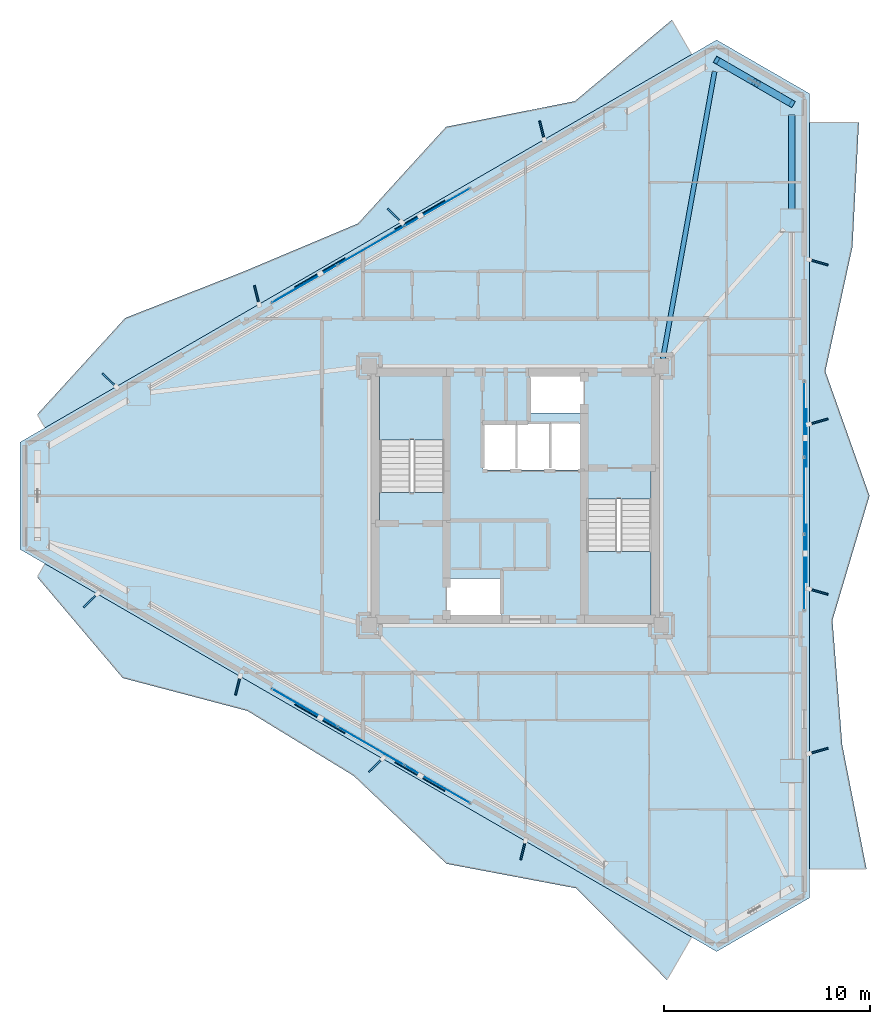
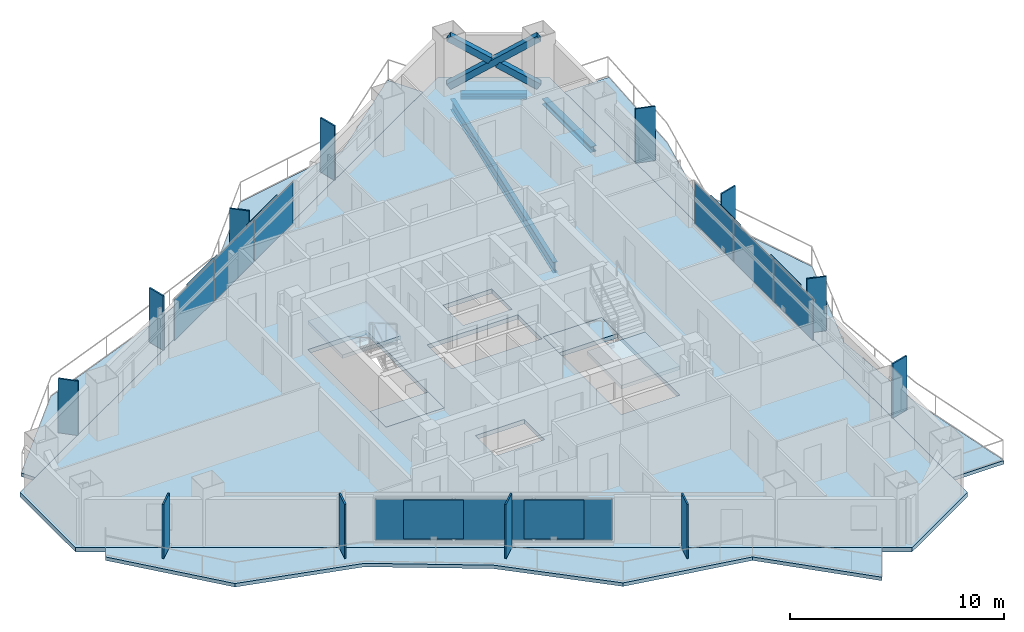
# One storey, part 14 of 22: 27 plates, 8 slabs, 3 beams, 3 members, 5 elements without a shape of their own.
"""IFC4 building model written with IfcOpenShell, lengths in metres."""

import ifcopenshell
import ifcopenshell.guid

model = None  # the IFC model being written
_history = None  # IfcOwnerHistory: only IFC2X3 demands one
_inside = {}  # id of a spatial element -> (the spatial element, [elements in it])
_under = {}  # id of a project, library or spatial element -> (it, [spatial elements below it])
_declared = {}  # id of a project -> (the project, [libraries it declares])
_typed = {}  # id of a type object -> (the type object, [elements of that type])
_made_of = {}  # id of a material, layer set ... -> (it, [elements and type objects made of it])


def new_model(schema):
    """Start an empty IFC model of exactly this schema.

    Asked for "IFC4X3", IfcOpenShell would pick the latest addendum, in which some entities
    have other attributes; the version numbers below select the first issue.
    IFC2X3 requires an IfcOwnerHistory on every rooted entity: one is made here for all.
    """
    global model, _history
    if schema == "IFC4X3":
        model = ifcopenshell.file(schema_version=(4, 3, 0, 0))
    else:
        model = ifcopenshell.file(schema=schema)
    _inside.clear()
    _under.clear()
    _declared.clear()
    _typed.clear()
    _made_of.clear()
    _history = None
    if model.schema == "IFC2X3":
        org = make("IfcOrganization", Name="unknown")
        user = make(
            "IfcPersonAndOrganization",
            ThePerson=make("IfcPerson", FamilyName="unknown"),
            TheOrganization=org,
        )
        app = make(
            "IfcApplication",
            ApplicationDeveloper=org,
            Version="unknown",
            ApplicationFullName="unknown",
            ApplicationIdentifier="unknown",
        )
        _history = make(
            "IfcOwnerHistory",
            OwningUser=user,
            OwningApplication=app,
            ChangeAction="ADDED",
            CreationDate=0,
        )
    return model


def make(cls, **values):
    """One entity of the class cls with the attributes given. An attribute that is None is left unset."""
    return model.create_entity(
        cls, **{name: value for name, value in values.items() if value is not None}
    )


def rooted(cls, **values):
    """An entity with a GlobalId (a new one), such as an element, a storey or a relation."""
    return make(cls, GlobalId=ifcopenshell.guid.new(), OwnerHistory=_history, **values)


def si_unit(unit_type, name, prefix=None):
    """IfcSIUnit, for example si_unit("LENGTHUNIT", "METRE", prefix="MILLI")."""
    return make("IfcSIUnit", UnitType=unit_type, Prefix=prefix, Name=name)


def assignment(units):
    """IfcUnitAssignment: the units of a project."""
    return None if units is None else make("IfcUnitAssignment", Units=units)


def point(xyz):
    """IfcCartesianPoint."""
    return None if xyz is None else make("IfcCartesianPoint", Coordinates=xyz)


def direction(xyz):
    """IfcDirection."""
    return None if xyz is None else make("IfcDirection", DirectionRatios=xyz)


def frame(location, z_axis=None, x_axis=None):
    """IfcAxis2Placement3D, a coordinate frame: its origin and axes. An axis left out is left unset."""
    return make(
        "IfcAxis2Placement3D",
        Location=point(location),
        Axis=direction(z_axis),
        RefDirection=direction(x_axis),
    )


def frame_2d(location, x_axis=None):
    """IfcAxis2Placement2D, a coordinate frame in the plane: its origin and x axis."""
    return make(
        "IfcAxis2Placement2D", Location=point(location), RefDirection=direction(x_axis)
    )


def origin():
    """The frame at (0, 0, 0) with its axes left unset."""
    return frame((0.0, 0.0, 0.0))


def origin_2d():
    """The frame at (0, 0) in the plane with its x axis left unset."""
    return frame_2d((0.0, 0.0))


def place(relative_to, where):
    """IfcLocalPlacement: puts the frame where relative to a parent placement (None: the world)."""
    return make(
        "IfcLocalPlacement", PlacementRelTo=relative_to, RelativePlacement=where
    )


def context(
    kind, dimensions, precision=None, world=None, true_north=None, identifier=None
):
    """IfcGeometricRepresentationContext, for example the 3D "Model" context."""
    return make(
        "IfcGeometricRepresentationContext",
        ContextIdentifier=identifier,
        ContextType=kind,
        CoordinateSpaceDimension=dimensions,
        Precision=precision,
        WorldCoordinateSystem=world,
        TrueNorth=true_north,
    )


def subcontext(parent, identifier, kind, view, scale=None):
    """IfcGeometricRepresentationSubContext, for example "Body" below "Model"."""
    return make(
        "IfcGeometricRepresentationSubContext",
        ContextIdentifier=identifier,
        ContextType=kind,
        ParentContext=parent,
        TargetScale=scale,
        TargetView=view,
    )


def project(units=None, contexts=None):
    """IfcProject with its units and contexts."""
    return rooted(
        "IfcProject",
        Name="project",
        RepresentationContexts=contexts,
        UnitsInContext=assignment(units),
    )


def spatial(cls, under=None, at=None, **own):
    """A site, building, storey or space (cls), placed at a placement, below another one or the project."""
    s = rooted(cls, ObjectPlacement=at, **own)
    if under is not None:
        _under.setdefault(under.id(), (under, []))[1].append(s)
    return s


def polyline(points):
    """IfcPolyline through the points."""
    return make("IfcPolyline", Points=[point(p) for p in points])


def profile(cls, at=None, kind="AREA", **sizes):
    """A parametric profile (cls). Its sizes go by their IFC names, for example OverallWidth=200.0."""
    return make(cls, ProfileType=kind, Position=at, **sizes)


def rectangle(**sizes):
    """IfcRectangleProfileDef."""
    return profile("IfcRectangleProfileDef", **sizes)


def hollow_rectangle(**sizes):
    """IfcRectangleHollowProfileDef."""
    return profile("IfcRectangleHollowProfileDef", **sizes)


def i_section(**sizes):
    """IfcIShapeProfileDef."""
    return profile("IfcIShapeProfileDef", **sizes)


def outline(outer, holes=None, kind="AREA"):
    """IfcArbitraryClosedProfileDef: a profile drawn as a closed curve; with holes, ...WithVoids."""
    if holes is None:
        return make("IfcArbitraryClosedProfileDef", ProfileType=kind, OuterCurve=outer)
    return make(
        "IfcArbitraryProfileDefWithVoids",
        ProfileType=kind,
        OuterCurve=outer,
        InnerCurves=holes,
    )


def extrude(swept, where, along, depth):
    """IfcExtrudedAreaSolid: the profile swept, set in the frame where, extruded along a direction by depth."""
    return make(
        "IfcExtrudedAreaSolid",
        SweptArea=swept,
        Position=where,
        ExtrudedDirection=direction(along),
        Depth=depth,
    )


def shape(context_of_items, identifier, shape_type, items):
    """IfcShapeRepresentation: the items that make up one representation, for example the "Body"."""
    return make(
        "IfcShapeRepresentation",
        ContextOfItems=context_of_items,
        RepresentationIdentifier=identifier,
        RepresentationType=shape_type,
        Items=items,
    )


def material(Name=None, Category=None):
    """IfcMaterial."""
    return make("IfcMaterial", Name=Name, Category=Category)


def layer(
    of_material, thickness, ventilated=None, Name=None, Category=None, Priority=None
):
    """IfcMaterialLayer: one layer of a wall or slab, of a material (None: an air gap)."""
    return make(
        "IfcMaterialLayer",
        Material=of_material,
        LayerThickness=thickness,
        IsVentilated=ventilated,
        Name=Name,
        Category=Category,
        Priority=Priority,
    )


def layer_set(layers, Name=None):
    """IfcMaterialLayerSet."""
    return make("IfcMaterialLayerSet", MaterialLayers=layers, LayerSetName=Name)


def material_profile(
    of_material, cross_section, Name=None, Category=None, Priority=None
):
    """IfcMaterialProfile: a cross section and its material."""
    return make(
        "IfcMaterialProfile",
        Name=Name,
        Material=of_material,
        Profile=cross_section,
        Priority=Priority,
        Category=Category,
    )


def profile_set(profiles, Name=None, composite=None):
    """IfcMaterialProfileSet."""
    return make(
        "IfcMaterialProfileSet",
        Name=Name,
        MaterialProfiles=profiles,
        CompositeProfile=composite,
    )


def made_of(thing, what):
    """Note that an element or type object is made of a material, layer set ...; save() writes the relation."""
    if what is not None:
        _made_of.setdefault(what.id(), (what, []))[1].append(thing)
    return thing


def type_object(cls, material=None, **own):
    """A type object (cls), such as IfcWallType, which elements share."""
    return made_of(rooted(cls, **own), material)


def element(
    cls,
    number,
    at=None,
    inside=None,
    cuts=None,
    type_object=None,
    material=None,
    context=None,
    identifier="Body",
    shape_type=None,
    held_by="IfcProductDefinitionShape",
    body=None,
    shapes=None,
    **own,
):
    """One element of the class cls, such as IfcWall. Its Tag is "e" and its number.

    at: its placement. inside: the storey or other place that contains it. cuts: it is an
    opening in that element (IfcRelVoidsElement). A single representation is given by context,
    identifier, shape_type and body (its items); several are given by shapes. held_by: the class
    of the entity that holds the representations. save() writes the other relations.
    """
    e = rooted(cls, Tag="e%d" % number, ObjectPlacement=at, **own)
    if body is not None:
        shapes = [shape(context, identifier, shape_type, body)]
    if shapes is not None:
        e.Representation = make(held_by, Representations=shapes)
    if inside is not None:
        _inside.setdefault(inside.id(), (inside, []))[1].append(e)
    if cuts is not None:
        rooted(
            "IfcRelVoidsElement", RelatingBuildingElement=cuts, RelatedOpeningElement=e
        )
    if type_object is not None:
        _typed.setdefault(type_object.id(), (type_object, []))[1].append(e)
    return made_of(e, material)


def aggregate(whole, parts):
    """IfcRelAggregates: a whole, such as a stair, and the parts it consists of."""
    return rooted("IfcRelAggregates", RelatingObject=whole, RelatedObjects=parts)


def save(model, path):
    """Write the relations noted so far, then the file.

    IfcRelAggregates (storeys below a building ...), IfcRelContainedInSpatialStructure (elements
    in a storey), IfcRelDefinesByType, IfcRelAssociatesMaterial and IfcRelDeclares: one each for
    every whole, place, type object, material and project.
    """
    for whole, parts in _under.values():
        aggregate(whole, parts)
    for where, things in _inside.values():
        rooted(
            "IfcRelContainedInSpatialStructure",
            RelatedElements=things,
            RelatingStructure=where,
        )
    for kind, things in _typed.values():
        rooted("IfcRelDefinesByType", RelatedObjects=things, RelatingType=kind)
    for what, things in _made_of.values():
        rooted("IfcRelAssociatesMaterial", RelatedObjects=things, RelatingMaterial=what)
    for by, libraries in _declared.values():
        rooted("IfcRelDeclares", RelatingContext=by, RelatedDefinitions=libraries)
    model.write(path)


model = new_model("IFC4")

# Units and contexts
model_context = context("Model", 3, precision=1e-05, world=origin(), true_north=direction((0.0, 1.0)))
body_context = subcontext(model_context, "Body", "Model", "MODEL_VIEW")
ifc_project = project(units=[si_unit("LENGTHUNIT", "METRE"), si_unit("AREAUNIT", "SQUARE_METRE"), si_unit("VOLUMEUNIT", "CUBIC_METRE"), si_unit("PLANEANGLEUNIT", "RADIAN"), si_unit("MASSUNIT", "GRAM", prefix="KILO")], contexts=[model_context])

# Site, building, storey
site_placement = place(None, origin())
site = spatial("IfcSite", under=ifc_project, at=site_placement, CompositionType="ELEMENT")
building_placement = place(site_placement, origin())
building = spatial("IfcBuilding", under=site, at=building_placement, Name="Mersakhor Tower and Convention Hall", CompositionType="ELEMENT")
storey_placement = place(building_placement, frame((0.0, 0.0, 109.800048828125)))
storey = spatial("IfcBuildingStorey", under=building, at=storey_placement, Name="L30", CompositionType="ELEMENT", Elevation=109.800048828125)

# Beams
ifc_material_1 = material(Name="Steel S355", Category="steel")
ifc_material_profile_1 = material_profile(ifc_material_1, i_section(OverallWidth=0.22900390625, OverallDepth=0.6123046875, WebThickness=0.011962890625, FlangeThickness=0.01953125, at=origin_2d()), Name="UB 610x229x125")
ifc_profile_set_1 = profile_set([ifc_material_profile_1], Name="Steel S355")
beam_type_1 = type_object("IfcBeamType", Name="BM-PR-610", PredefinedType="BEAM", material=ifc_profile_set_1)
beam_1_placement = place(storey_placement, frame((36.1630859375, 33.3994140625, -0.55615234375), z_axis=(0.177407335198, 0.984137509405, 0.0), x_axis=(-0.984137509405, 0.177407335198, 0.0)))
element("IfcBeam", 1, at=beam_1_placement, inside=storey, type_object=beam_type_1, Name="L30 Primary Floor Girder FG-2", PredefinedType="BEAM", context=body_context, shape_type="SweptSolid", body=[
    extrude(i_section(OverallWidth=0.22900390625, OverallDepth=0.6123046875, WebThickness=0.011962890625, FlangeThickness=0.01953125, at=origin_2d()), origin(), (0.0, 0.0, 1.0), 14.188232421875),
])
ifc_material_2 = material(Name="Steel S355", Category="steel")
ifc_material_profile_2 = material_profile(ifc_material_2, i_section(OverallWidth=0.30908203125, OverallDepth=0.320556640625, WebThickness=0.013916015625, FlangeThickness=0.021728515625, at=origin_2d()), Name="UC 305x305x137")
ifc_profile_set_2 = profile_set([ifc_material_profile_2], Name="Steel S355")
beam_type_2 = type_object("IfcBeamType", Name="BM-SPD-UC305", PredefinedType="SPANDREL", material=ifc_profile_set_2)
beam_2_placement = place(storey_placement, frame((39.25927734375, 47.631103515625, -0.410400390625), z_axis=(0.866052319632, -0.499953377486, 0.0), x_axis=(0.499953377486, 0.866052319632, 0.0)))
element("IfcBeam", 2, at=beam_2_placement, inside=storey, type_object=beam_type_2, Name="L30 Perimeter Spandrel Beam SPB-04", PredefinedType="SPANDREL", context=body_context, shape_type="SweptSolid", body=[
    extrude(i_section(OverallWidth=0.30908203125, OverallDepth=0.320556640625, WebThickness=0.013916015625, FlangeThickness=0.021728515625, at=origin_2d()), origin(), (0.0, 0.0, 1.0), 3.111572265625),
])
beam_3_placement = place(storey_placement, frame((42.4345703125, 45.242919921875, -0.410400390625), z_axis=(0.0, -1.0, 0.0), x_axis=(1.0, 0.0, 0.0)))
element("IfcBeam", 3, at=beam_3_placement, inside=storey, type_object=beam_type_2, Name="L30 Perimeter Spandrel Beam SPB-05", PredefinedType="SPANDREL", context=body_context, shape_type="SweptSolid", body=[
    extrude(i_section(OverallWidth=0.30908203125, OverallDepth=0.320556640625, WebThickness=0.013916015625, FlangeThickness=0.021728515625, at=origin_2d()), origin(), (0.0, 0.0, 1.0), 4.566162109375),
])

# Members
ifc_material_3 = material(Name="Steel S460", Category="steel")
ifc_material_profile_3 = material_profile(ifc_material_3, hollow_rectangle(XDim=0.35009765625, YDim=0.35009765625, WallThickness=0.02001953125, at=origin_2d()), Name="SHS 350x350x20")
ifc_profile_set_3 = profile_set([ifc_material_profile_3], Name="Steel S460")
member_type = type_object("IfcMemberType", Name="MB-BRC-SHS350", PredefinedType="BRACE", material=ifc_profile_set_3)
member_1_placement = place(storey_placement, frame((38.77880859375, 47.90869140625, 0.14990234375), z_axis=(0.725633725484, -0.418933054415, 0.545848689986), x_axis=(0.49998946241, 0.866031487579, 0.0)))
element("IfcMember", 4, at=member_1_placement, inside=storey, type_object=member_type, Name="L30 Chamfer Braced Frame Diagonal CB-1A", PredefinedType="BRACE", context=body_context, shape_type="SweptSolid", body=[
    extrude(hollow_rectangle(XDim=0.35009765625, YDim=0.35009765625, WallThickness=0.02001953125, at=origin_2d()), origin(), (0.0, 0.0, 1.0), 5.0380859375),
])
member_2_placement = place(storey_placement, frame((42.4345703125, 45.798095703125, 0.14990234375), z_axis=(-0.725643177862, 0.418862922102, 0.545889943955), x_axis=(-0.499921796684, -0.866070549782, 0.0)))
element("IfcMember", 5, at=member_2_placement, inside=storey, type_object=member_type, Name="L30 Chamfer Braced Frame Diagonal CB-1B Lower Half", PredefinedType="BRACE", context=body_context, shape_type="SweptSolid", body=[
    extrude(hollow_rectangle(XDim=0.35009765625, YDim=0.35009765625, WallThickness=0.02001953125, at=origin_2d()), origin(), (0.0, 0.0, 1.0), 2.31982421875),
])
member_3_placement = place(storey_placement, frame((40.4619140625, 46.93701171875, 1.6337890625), z_axis=(-0.725635037856, 0.418918980369, 0.545857746783), x_axis=(-0.499976186015, -0.866039152359, 0.0)))
element("IfcMember", 6, at=member_3_placement, inside=storey, type_object=member_type, Name="L30 Chamfer Braced Frame Diagonal CB-1B Upper Half", PredefinedType="BRACE", context=body_context, shape_type="SweptSolid", body=[
    extrude(hollow_rectangle(XDim=0.35009765625, YDim=0.35009765625, WallThickness=0.02001953125, at=origin_2d()), origin(), (0.0, 0.0, 1.0), 2.319580078125),
])

# Curtain wall, plates
ifc_material_4 = material(Name="Dark solar low-E aluminium curtain wall", Category="aluminium")
ifc_layer_1 = layer(ifc_material_4, 0.159912109375)
ifc_layer_set_1 = layer_set([ifc_layer_1], Name="Dark solar low-E aluminium curtain wall")
curtain_wall_type = type_object("IfcCurtainWallType", Name="CW-SYS-01", PredefinedType="USERDEFINED", material=ifc_layer_set_1)
curtain_wall_1_placement = place(storey_placement, origin())
curtain_wall_1 = element("IfcCurtainWall", 7, at=curtain_wall_1_placement, inside=storey, type_object=curtain_wall_type, Name="L30 Dark-Glass Curtain Wall F1-B2", ObjectType="CURTAIN WALL", PredefinedType="USERDEFINED")
ifc_material_5 = material(Name="Dark solar double glazing", Category="glass")
ifc_layer_2 = layer(ifc_material_5, 0.02392578125)
ifc_layer_set_2 = layer_set([ifc_layer_2], Name="Dark solar double glazing")
plate_type_1 = type_object("IfcPlateType", Name="CWP-GLZ-24", PredefinedType="CURTAIN_PANEL", material=ifc_layer_set_2)
plate_1_placement = place(storey_placement, frame((18.75732421875, 37.042236328125, 0.260009765625), z_axis=(0.0, 0.0, 1.0), x_axis=(0.866026613339, 0.499997904985, 0.0)))
plate_1 = element("IfcPlate", 8, at=plate_1_placement, type_object=plate_type_1, Name="CW-01 panel 1.1", PredefinedType="CURTAIN_PANEL", context=body_context, shape_type="SweptSolid", body=[
    extrude(rectangle(XDim=3.630615234375, YDim=0.02392578125, at=origin_2d()), origin(), (0.0, 0.0, 1.0), 2.35009765625),
])
plate_2_placement = place(storey_placement, frame((21.982666015625, 38.904296875, 0.260009765625), z_axis=(0.0, 0.0, 1.0), x_axis=(0.866026613339, 0.499997904985, 0.0)))
plate_2 = element("IfcPlate", 9, at=plate_2_placement, type_object=plate_type_1, Name="CW-01 panel 2.1", PredefinedType="CURTAIN_PANEL", context=body_context, shape_type="SweptSolid", body=[
    extrude(rectangle(XDim=3.668212890625, YDim=0.02392578125, at=origin_2d()), origin(), (0.0, 0.0, 1.0), 2.35009765625),
])
plate_3_placement = place(storey_placement, frame((25.2080078125, 40.7666015625, 0.260009765625), z_axis=(0.0, 0.0, 1.0), x_axis=(0.866026613339, 0.499997904985, 0.0)))
plate_3 = element("IfcPlate", 10, at=plate_3_placement, type_object=plate_type_1, Name="CW-01 panel 3.1", PredefinedType="CURTAIN_PANEL", context=body_context, shape_type="SweptSolid", body=[
    extrude(rectangle(XDim=3.630615234375, YDim=0.02392578125, at=origin_2d()), origin(), (0.0, 0.0, 1.0), 2.35009765625),
])
aggregate(curtain_wall_1, [plate_1, plate_2, plate_3])

curtain_wall_2_placement = place(storey_placement, origin())
curtain_wall_2 = element("IfcCurtainWall", 11, at=curtain_wall_2_placement, inside=storey, type_object=curtain_wall_type, Name="L30 Dark-Glass Curtain Wall F2-B2", ObjectType="CURTAIN WALL", PredefinedType="USERDEFINED")
plate_4_placement = place(storey_placement, frame((43.03466796875, 30.474365234375, 0.260009765625), z_axis=(0.0, 0.0, 1.0), x_axis=(0.0, -1.0, 0.0)))
plate_4 = element("IfcPlate", 12, at=plate_4_placement, type_object=plate_type_1, Name="CW-01 panel 1.1", PredefinedType="CURTAIN_PANEL", context=body_context, shape_type="SweptSolid", body=[
    extrude(rectangle(XDim=3.630615234375, YDim=0.02392578125, at=origin_2d()), origin(), (0.0, 0.0, 1.0), 2.35009765625),
])
plate_5_placement = place(storey_placement, frame((43.03466796875, 26.75, 0.260009765625), z_axis=(0.0, 0.0, 1.0), x_axis=(0.0, -1.0, 0.0)))
plate_5 = element("IfcPlate", 13, at=plate_5_placement, type_object=plate_type_1, Name="CW-01 panel 2.1", PredefinedType="CURTAIN_PANEL", context=body_context, shape_type="SweptSolid", body=[
    extrude(rectangle(XDim=3.668212890625, YDim=0.02392578125, at=origin_2d()), origin(), (0.0, 0.0, 1.0), 2.35009765625),
])
plate_6_placement = place(storey_placement, frame((43.03466796875, 23.025634765625, 0.260009765625), z_axis=(0.0, 0.0, 1.0), x_axis=(0.0, -1.0, 0.0)))
plate_6 = element("IfcPlate", 14, at=plate_6_placement, type_object=plate_type_1, Name="CW-01 panel 3.1", PredefinedType="CURTAIN_PANEL", context=body_context, shape_type="SweptSolid", body=[
    extrude(rectangle(XDim=3.630615234375, YDim=0.02392578125, at=origin_2d()), origin(), (0.0, 0.0, 1.0), 2.35009765625),
])
aggregate(curtain_wall_2, [plate_4, plate_5, plate_6])

curtain_wall_3_placement = place(storey_placement, origin())
curtain_wall_3 = element("IfcCurtainWall", 15, at=curtain_wall_3_placement, inside=storey, type_object=curtain_wall_type, Name="L30 Dark-Glass Curtain Wall F3-B2", ObjectType="CURTAIN WALL", PredefinedType="USERDEFINED")
plate_7_placement = place(storey_placement, frame((25.2080078125, 12.7333984375, 0.260009765625), z_axis=(0.0, 0.0, 1.0), x_axis=(-0.866026613339, 0.499997904985, 0.0)))
plate_7 = element("IfcPlate", 16, at=plate_7_placement, type_object=plate_type_1, Name="CW-01 panel 1.1", PredefinedType="CURTAIN_PANEL", context=body_context, shape_type="SweptSolid", body=[
    extrude(rectangle(XDim=3.630615234375, YDim=0.02392578125, at=origin_2d()), origin(), (0.0, 0.0, 1.0), 2.35009765625),
])
plate_8_placement = place(storey_placement, frame((21.982666015625, 14.595703125, 0.260009765625), z_axis=(0.0, 0.0, 1.0), x_axis=(-0.866026613339, 0.499997904985, 0.0)))
plate_8 = element("IfcPlate", 17, at=plate_8_placement, type_object=plate_type_1, Name="CW-01 panel 2.1", PredefinedType="CURTAIN_PANEL", context=body_context, shape_type="SweptSolid", body=[
    extrude(rectangle(XDim=3.668212890625, YDim=0.02392578125, at=origin_2d()), origin(), (0.0, 0.0, 1.0), 2.35009765625),
])
plate_9_placement = place(storey_placement, frame((18.75732421875, 16.457763671875, 0.260009765625), z_axis=(0.0, 0.0, 1.0), x_axis=(-0.866026613339, 0.499997904985, 0.0)))
plate_9 = element("IfcPlate", 18, at=plate_9_placement, type_object=plate_type_1, Name="CW-01 panel 3.1", PredefinedType="CURTAIN_PANEL", context=body_context, shape_type="SweptSolid", body=[
    extrude(rectangle(XDim=3.630615234375, YDim=0.02392578125, at=origin_2d()), origin(), (0.0, 0.0, 1.0), 2.35009765625),
])
aggregate(curtain_wall_3, [plate_7, plate_8, plate_9])

# Plates
ifc_material_6 = material(Name="Ceramic-clad aluminium Zone 2 emerald-teal", Category="aluminium")
ifc_material_7 = material(Name="Ceramic-clad aluminium Zone 1 cobalt-slate", Category="masonry")
ifc_layer_3 = layer(ifc_material_7, 0.080078125)
ifc_layer_set_3 = layer_set([ifc_layer_3], Name="Ceramic-clad aluminium Zone 1 cobalt-slate")
plate_type_2 = type_object("IfcPlateType", Name="PL-FIN-80", PredefinedType="USERDEFINED", material=ifc_layer_set_3)
for number, where, z_axis, x_axis, name in (
    (19, (9.281494140625, 32.364013671875, 0.0), (0.0, 0.0, 1.0), (-0.719339800339, 0.694658370459, 0.0), "L30 Zone 2 Coloured Brise-Soleil Fin F1-1"),
    (20, (16.4365234375, 36.4951171875, 0.0), (0.0, 0.0, 1.0), (-0.2419218956, 0.970295726276, 0.0), "L30 Zone 2 Coloured Brise-Soleil Fin F1-2"),
    (21, (23.137939453125, 40.364013671875, 0.0), (0.0, 0.0, 1.0), (-0.719339800339, 0.694658370459, 0.0), "L30 Zone 2 Coloured Brise-Soleil Fin F1-3"),
    (22, (30.29296875, 44.4951171875, 0.0), (0.0, 0.0, 1.0), (-0.2419218956, 0.970295726276, 0.0), "L30 Zone 2 Coloured Brise-Soleil Fin F1-4"),
    (23, (43.72119140625, 38.091064453125, 0.0), (0.0, 0.0, 1.0), (0.961261695938, -0.275637355817, 0.0), "L30 Zone 2 Coloured Brise-Soleil Fin F2-1"),
    (24, (43.72119140625, 30.35302734375, 0.0), (0.0, 0.0, 1.0), (0.961261695938, 0.275637355817, 0.0), "L30 Zone 2 Coloured Brise-Soleil Fin F2-2"),
    (25, (43.72119140625, 22.091064453125, 0.0), (0.0, 0.0, 1.0), (0.961261695938, -0.275637355817, 0.0), "L30 Zone 2 Coloured Brise-Soleil Fin F2-3"),
    (26, (43.72119140625, 14.35302734375, 0.0), (0.0, 0.0, 1.0), (0.961261695938, 0.275637355817, 0.0), "L30 Zone 2 Coloured Brise-Soleil Fin F2-4"),
    (27, (29.37841796875, 9.532958984375, 0.0), (0.0, 0.0, 1.0), (-0.2419218956, -0.970295726276, 0.0), "L30 Zone 2 Coloured Brise-Soleil Fin F3-1"),
    (28, (22.223388671875, 13.663818359375, 0.0), (0.0, 0.0, 1.0), (-0.719339800339, -0.694658370459, 0.0), "L30 Zone 2 Coloured Brise-Soleil Fin F3-2"),
    (29, (15.52197265625, 17.532958984375, 0.0), (0.0, 0.0, 1.0), (-0.2419218956, -0.970295726276, 0.0), "L30 Zone 2 Coloured Brise-Soleil Fin F3-3"),
    (30, (8.3671875, 21.663818359375, 0.0), (0.0, 0.0, 1.0), (-0.719339800339, -0.694658370459, 0.0), "L30 Zone 2 Coloured Brise-Soleil Fin F3-4"),
):
    element("IfcPlate", number, at=place(storey_placement, frame(where, z_axis=z_axis, x_axis=x_axis)), inside=storey, type_object=plate_type_2, material=ifc_material_6, Name=name, ObjectType="FIN", PredefinedType="USERDEFINED", context=body_context, shape_type="SweptSolid", body=[
        extrude(rectangle(XDim=0.949951171875, YDim=0.080078125, at=origin_2d()), origin(), (0.0, 0.0, 1.0), 3.10009765625),
    ])
ifc_material_8 = material(Name="Perforated ceramic cobogo solar screen", Category="aluminium")
ifc_layer_4 = layer(ifc_material_8, 0.048095703125)
ifc_layer_set_4 = layer_set([ifc_layer_4], Name="Perforated ceramic cobogo solar screen")
plate_type_3 = type_object("IfcPlateType", Name="PL-SCR-48", PredefinedType="USERDEFINED", material=ifc_layer_set_4)
for number, where, z_axis, x_axis, name in (
    (31, (19.50439453125, 37.58203125, 0.39990234375), (0.0, 0.0, 1.0), (0.866025403784, 0.5, 0.0), "L30 Perforated Ceramic Solar Screen F1-1"),
    (32, (24.366943359375, 40.389404296875, 0.39990234375), (0.0, 0.0, 1.0), (0.866025403784, 0.5, 0.0), "L30 Perforated Ceramic Solar Screen F1-2"),
    (33, (43.128662109375, 29.557373046875, 0.39990234375), (0.0, 0.0, 1.0), (0.0, -1.0, 0.0), "L30 Perforated Ceramic Solar Screen F2-1"),
    (34, (43.128662109375, 23.942626953125, 0.39990234375), (0.0, 0.0, 1.0), (0.0, -1.0, 0.0), "L30 Perforated Ceramic Solar Screen F2-2"),
    (35, (24.366943359375, 13.110595703125, 0.39990234375), (0.0, 0.0, 1.0), (-0.866025403784, 0.5, 0.0), "L30 Perforated Ceramic Solar Screen F3-1"),
    (36, (19.50439453125, 15.91796875, 0.39990234375), (0.0, 0.0, 1.0), (-0.866025403784, 0.5, 0.0), "L30 Perforated Ceramic Solar Screen F3-2"),
):
    element("IfcPlate", number, at=place(storey_placement, frame(where, z_axis=z_axis, x_axis=x_axis)), inside=storey, type_object=plate_type_3, Name=name, ObjectType="SCREEN", PredefinedType="USERDEFINED", context=body_context, shape_type="SweptSolid", body=[
        extrude(rectangle(XDim=2.800048828125, YDim=0.048095703125, at=origin_2d()), origin(), (0.0, 0.0, 1.0), 2.219970703125),
    ])

# Slabs
ifc_material_9 = material(Name="Concrete C45/55", Category="concrete")
ifc_layer_5 = layer(ifc_material_9, 0.199951171875)
ifc_layer_set_5 = layer_set([ifc_layer_5], Name="Concrete C45/55")
slab_type_1 = type_object("IfcSlabType", Name="SL-BAL-200", PredefinedType="FLOOR", material=ifc_layer_set_5)
slab_1_placement = place(storey_placement, frame((0.0, 0.0, -0.199951171875)))
element("IfcSlab", 37, at=slab_1_placement, inside=storey, type_object=slab_type_1, Name="L30 Sinusoidal Balcony Slab Face 1", PredefinedType="FLOOR", context=body_context, shape_type="SweptSolid", body=[
    extrude(outline(polyline([(6.149169921875, 30.051513671875), (37.56640625, 48.190185546875), (36.6005859375, 49.86279296875), (31.89501953125, 45.9208984375), (25.6337890625, 44.6728515625), (21.361572265625, 39.97998046875), (15.743408203125, 37.61865234375), (10.0498046875, 35.3876953125), (5.774169921875, 30.700927734375), (6.149169921875, 30.051513671875)])), origin(), (0.0, 0.0, 1.0), 0.199951171875),
])
slab_2_placement = place(storey_placement, frame((0.0, 0.0, -0.199951171875)))
element("IfcSlab", 38, at=slab_2_placement, inside=storey, type_object=slab_type_1, Name="L30 Sinusoidal Balcony Slab Face 2", PredefinedType="FLOOR", context=body_context, shape_type="SweptSolid", body=[
    extrude(outline(polyline([(43.28466796875, 44.888671875), (43.28466796875, 8.611328125), (46.060546875, 8.611328125), (44.878662109375, 14.657470703125), (44.4052734375, 20.703857421875), (46.20458984375, 26.75), (44.059326171875, 32.796142578125), (45.37646484375, 38.842529296875), (45.689697265625, 44.888671875), (43.28466796875, 44.888671875)])), origin(), (0.0, 0.0, 1.0), 0.199951171875),
])
slab_3_placement = place(storey_placement, frame((0.0, 0.0, -0.199951171875)))
element("IfcSlab", 39, at=slab_3_placement, inside=storey, type_object=slab_type_1, Name="L30 Sinusoidal Balcony Slab Face 3", PredefinedType="FLOOR", context=body_context, shape_type="SweptSolid", body=[
    extrude(outline(polyline([(37.56640625, 5.309814453125), (6.149169921875, 23.448486328125), (5.774169921875, 22.799072265625), (9.92529296875, 17.896484375), (15.985107421875, 16.30029296875), (21.145751953125, 13.146240234375), (25.6591796875, 8.87109375), (31.955078125, 7.683349609375), (36.36376953125, 3.22705078125), (37.56640625, 5.309814453125)])), origin(), (0.0, 0.0, 1.0), 0.199951171875),
])
ifc_material_10 = material(Name="Concrete C40/50", Category="concrete")
ifc_layer_6 = layer(ifc_material_10, 0.25)
ifc_layer_set_6 = layer_set([ifc_layer_6], Name="Concrete C40/50")
slab_type_2 = type_object("IfcSlabType", Name="SL-FLR-250", PredefinedType="FLOOR", material=ifc_layer_set_6)
slab_4_placement = place(storey_placement, frame((0.0, 0.0, -0.25)))
element("IfcSlab", 40, at=slab_4_placement, inside=storey, type_object=slab_type_2, Name="L30 ST-1 Structural Stair Floor Landing", PredefinedType="LANDING", context=body_context, shape_type="SweptSolid", body=[
    extrude(outline(polyline([(25.550048828125, 25.39990234375), (25.550048828125, 26.89990234375), (22.39990234375, 26.89990234375), (22.39990234375, 25.39990234375), (25.550048828125, 25.39990234375)])), origin(), (0.0, 0.0, 1.0), 0.25),
])
slab_5_placement = place(storey_placement, frame((0.0, 0.0, -0.25)))
element("IfcSlab", 41, at=slab_5_placement, inside=storey, type_object=slab_type_2, Name="L30 ST-2 Structural Stair Floor Landing", PredefinedType="LANDING", context=body_context, shape_type="SweptSolid", body=[
    extrude(outline(polyline([(32.449951171875, 28.10009765625), (32.449951171875, 26.60009765625), (35.60009765625, 26.60009765625), (35.60009765625, 28.10009765625), (32.449951171875, 28.10009765625)])), origin(), (0.0, 0.0, 1.0), 0.25),
])
slab_6_placement = place(storey_placement, frame((0.0, 0.0, -0.25)))
element("IfcSlab", 42, at=slab_6_placement, inside=storey, type_object=slab_type_2, Name="Tower L30 Structural Floor Slab", PredefinedType="FLOOR", context=body_context, shape_type="SweptSolid", body=[
    extrude(outline(polyline([(4.936767578125, 29.3515625), (38.77880859375, 48.89013671875), (43.28466796875, 46.288818359375), (43.28466796875, 7.211181640625), (38.77880859375, 4.60986328125), (4.936767578125, 24.1484375), (4.936767578125, 29.3515625)]), holes=[polyline([(25.550048828125, 25.39990234375), (25.550048828125, 32.699951171875), (22.39990234375, 32.699951171875), (22.39990234375, 25.39990234375), (25.550048828125, 25.39990234375)]), polyline([(32.449951171875, 28.10009765625), (32.449951171875, 20.800048828125), (35.60009765625, 20.800048828125), (35.60009765625, 28.10009765625), (32.449951171875, 28.10009765625)]), polyline([(25.679931640625, 20.820068359375), (25.679931640625, 22.719970703125), (28.320068359375, 22.719970703125), (28.320068359375, 20.820068359375), (25.679931640625, 20.820068359375)]), polyline([(29.679931640625, 30.780029296875), (29.679931640625, 32.679931640625), (32.320068359375, 32.679931640625), (32.320068359375, 30.780029296875), (29.679931640625, 30.780029296875)]), polyline([(27.429931640625, 28.0), (27.429931640625, 30.25), (32.320068359375, 30.25), (32.320068359375, 28.0), (27.429931640625, 28.0)])]), origin(), (0.0, 0.0, 1.0), 0.25),
])

# Stair, slab
ifc_material_11 = material(Name="Concrete C45/55", Category="concrete")
stair_type = type_object("IfcStairType", Name="ST-TWR-20R", PredefinedType="HALF_TURN_STAIR", material=ifc_material_11)
stair_1_placement = place(storey_placement, origin())
stair_1 = element("IfcStair", 43, at=stair_1_placement, inside=storey, type_object=stair_type, Name="L30 Tower Protected Exit Stair ST-1", PredefinedType="HALF_TURN_STAIR")
ifc_material_12 = material(Name="Concrete C45/55", Category="concrete")
ifc_layer_7 = layer(ifc_material_12, 0.199951171875)
ifc_layer_set_7 = layer_set([ifc_layer_7], Name="Concrete C45/55")
slab_type_3 = type_object("IfcSlabType", Name="SL-LAND-200", PredefinedType="LANDING", material=ifc_layer_set_7)
slab_7_placement = place(storey_placement, frame((0.0, 0.0, 1.449951171875)))
slab_7 = element("IfcSlab", 44, at=slab_7_placement, type_object=slab_type_3, Name="ST-1 landing 1", PredefinedType="LANDING", context=body_context, shape_type="SweptSolid", body=[
    extrude(outline(polyline([(25.550048828125, 29.465087890625), (25.550048828125, 32.699951171875), (22.39990234375, 32.699951171875), (22.39990234375, 29.465087890625), (25.550048828125, 29.465087890625)])), origin(), (0.0, 0.0, 1.0), 0.199951171875),
])
aggregate(stair_1, [slab_7])

stair_2_placement = place(storey_placement, origin())
stair_2 = element("IfcStair", 45, at=stair_2_placement, inside=storey, type_object=stair_type, Name="L30 Tower Protected Exit Stair ST-2", PredefinedType="HALF_TURN_STAIR")
slab_8_placement = place(storey_placement, frame((0.0, 0.0, 1.449951171875)))
slab_8 = element("IfcSlab", 46, at=slab_8_placement, type_object=slab_type_3, Name="ST-2 landing 1", PredefinedType="LANDING", context=body_context, shape_type="SweptSolid", body=[
    extrude(outline(polyline([(32.449951171875, 24.034912109375), (32.449951171875, 20.800048828125), (35.60009765625, 20.800048828125), (35.60009765625, 24.034912109375), (32.449951171875, 24.034912109375)])), origin(), (0.0, 0.0, 1.0), 0.199951171875),
])
aggregate(stair_2, [slab_8])

save(model, "model.ifc")
